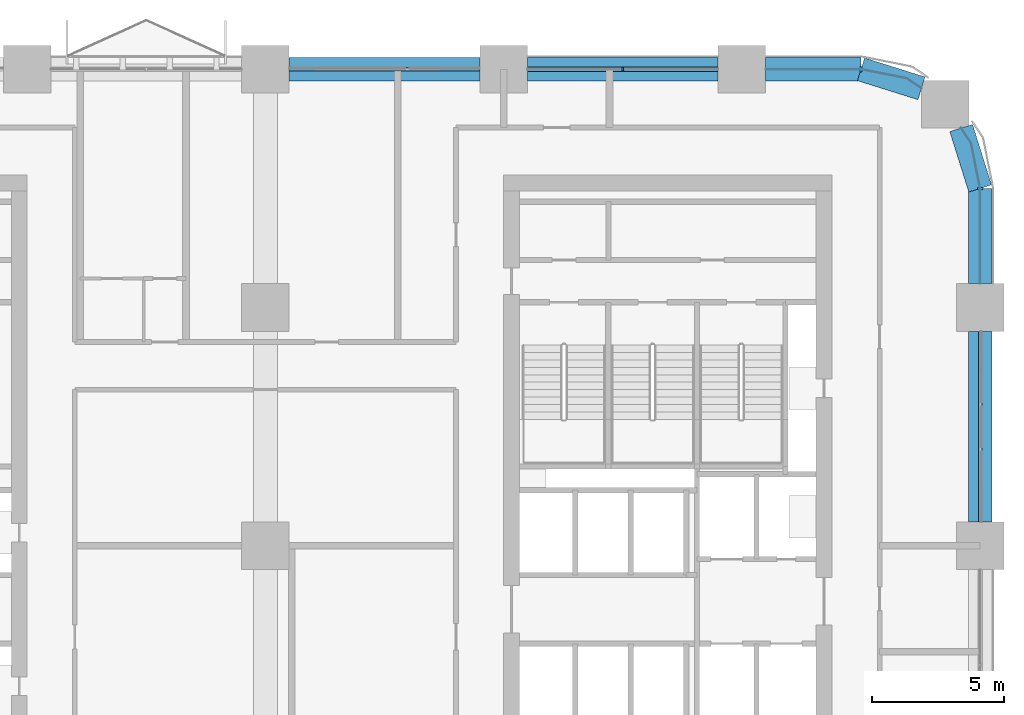
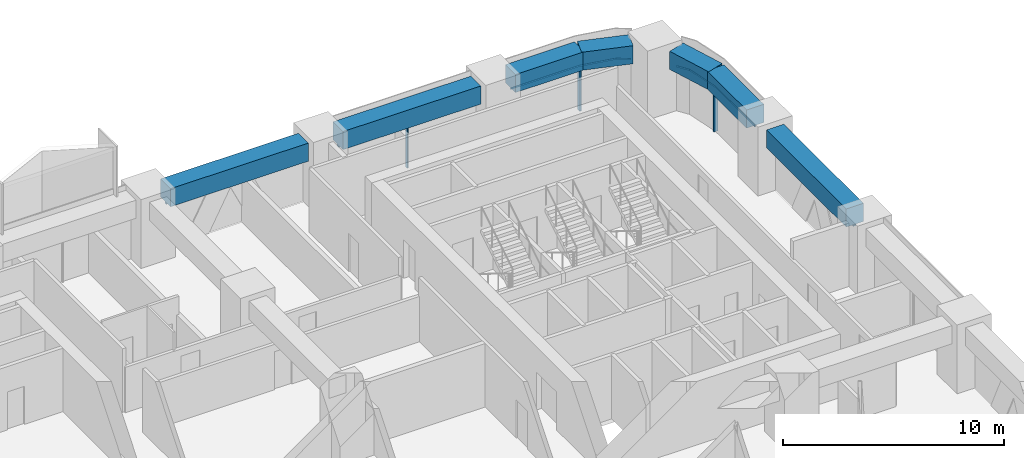
# One storey, part 9 of 23: 8 members, 7 beams, 5 elements without a shape of their own.
"""IFC4 building model written with IfcOpenShell, lengths in metres."""

from ifc_helpers import new_model, si_unit, direction, frame, origin, origin_2d, place, context, subcontext, project, spatial, polyline, rectangle, outline, extrude, material, material_profile, profile_set, type_object, element, aggregate, save


model = new_model("IFC4")

# Units and contexts
model_context = context("Model", 3, precision=1e-05, world=origin(), true_north=direction((0.0, 1.0)))
body_context = subcontext(model_context, "Body", "Model", "MODEL_VIEW")
ifc_project = project(units=[si_unit("LENGTHUNIT", "METRE"), si_unit("AREAUNIT", "SQUARE_METRE"), si_unit("VOLUMEUNIT", "CUBIC_METRE"), si_unit("PLANEANGLEUNIT", "RADIAN"), si_unit("MASSUNIT", "GRAM", prefix="KILO")], contexts=[model_context])

# Site, building, storey
site_placement = place(None, origin())
site = spatial("IfcSite", under=ifc_project, at=site_placement, CompositionType="ELEMENT")
building_placement = place(site_placement, origin())
building = spatial("IfcBuilding", under=site, at=building_placement, Name="Tessera Arch", CompositionType="ELEMENT")
storey_placement = place(building_placement, frame((0.0, 0.0, 34.800048828125)))
storey = spatial("IfcBuildingStorey", under=building, at=storey_placement, Name="L06", CompositionType="ELEMENT", Elevation=34.800048828125)

# Curtain wall, members
ifc_material_1 = material(Name="CW1 curtain wall")
curtain_wall_type_1 = type_object("IfcCurtainWallType", Name="CW1 curtain wall", PredefinedType="NOTDEFINED", material=ifc_material_1)
curtain_wall_1_placement = place(storey_placement, origin())
curtain_wall_1 = element("IfcCurtainWall", 1, at=curtain_wall_1_placement, inside=storey, type_object=curtain_wall_type_1, Name="CW1 curtain wall N54.0/1 L06", PredefinedType="NOTDEFINED")
ifc_material_2 = material(Name="Anodised aluminium pale metal", Category="aluminium")
ifc_material_profile_1 = material_profile(ifc_material_2, rectangle(XDim=0.159912109375, YDim=0.06005859375, at=origin_2d()), Name="AL 60x160")
ifc_profile_set_1 = profile_set([ifc_material_profile_1], Name="Anodised aluminium pale metal")
member_type_1 = type_object("IfcMemberType", Name="CW1 mullion", PredefinedType="MULLION", material=ifc_profile_set_1)
member_1_placement = place(storey_placement, frame((40.5, 54.0, 0.0), z_axis=(0.0, 0.0, 1.0), x_axis=(0.0, -1.0, 0.0)))
member_1 = element("IfcMember", 2, at=member_1_placement, type_object=member_type_1, Name="CW1 mullion N54.0/1 1", PredefinedType="MULLION", context=body_context, shape_type="SweptSolid", body=[
    extrude(rectangle(XDim=0.159912109375, YDim=0.06005859375, at=origin_2d()), origin(), (0.0, 0.0, 1.0), 2.39990234375),
])
ifc_material_3 = material(Name="Anodised aluminium pale metal", Category="aluminium")
ifc_material_profile_2 = material_profile(ifc_material_3, rectangle(XDim=0.159912109375, YDim=0.10009765625, at=origin_2d()), Name="AL 160x100")
ifc_profile_set_2 = profile_set([ifc_material_profile_2], Name="Anodised aluminium pale metal")
member_type_2 = type_object("IfcMemberType", Name="CW1 transom", PredefinedType="USERDEFINED", material=ifc_profile_set_2)
member_2_placement = place(storey_placement, frame((44.10009765625, 54.0, 2.449951171875), z_axis=(-1.0, 0.0, 0.0), x_axis=(0.0, -1.0, 0.0)))
member_2 = element("IfcMember", 3, at=member_2_placement, type_object=member_type_2, Name="CW1 transom N54.0/1 1.1", ObjectType="TRANSOM", PredefinedType="USERDEFINED", context=body_context, shape_type="SweptSolid", body=[
    extrude(rectangle(XDim=0.159912109375, YDim=0.10009765625, at=origin_2d()), origin(), (0.0, 0.0, 1.0), 7.2001953125),
])
aggregate(curtain_wall_1, [member_1, member_2])

# Curtain wall, member
ifc_material_4 = material(Name="CW2 curtain wall")
curtain_wall_type_2 = type_object("IfcCurtainWallType", Name="CW2 curtain wall", PredefinedType="NOTDEFINED", material=ifc_material_4)
curtain_wall_2_placement = place(storey_placement, origin())
curtain_wall_2 = element("IfcCurtainWall", 4, at=curtain_wall_2_placement, inside=storey, type_object=curtain_wall_type_2, Name="CW2 curtain wall E54.0/5 L06", PredefinedType="NOTDEFINED")
ifc_material_5 = material(Name="Anodised aluminium pale metal", Category="aluminium")
ifc_material_profile_3 = material_profile(ifc_material_5, rectangle(XDim=0.199951171875, YDim=0.080078125, at=origin_2d()), Name="AL 80x200")
ifc_profile_set_3 = profile_set([ifc_material_profile_3], Name="Anodised aluminium pale metal")
member_type_3 = type_object("IfcMemberType", Name="CW2 mullion", PredefinedType="MULLION", material=ifc_profile_set_3)
member_3_placement = place(storey_placement, frame((54.0, 49.5, 0.0), z_axis=(0.0, 0.0, 1.0), x_axis=(-1.0, 0.0, 0.0)))
member_3 = element("IfcMember", 5, at=member_3_placement, type_object=member_type_3, Name="CW2 mullion E54.0/5 1", PredefinedType="MULLION", context=body_context, shape_type="SweptSolid", body=[
    extrude(rectangle(XDim=0.199951171875, YDim=0.080078125, at=origin_2d()), origin(), (0.0, 0.0, 1.0), 2.39990234375),
])

curtain_wall_3_placement = place(storey_placement, origin())
curtain_wall_3 = element("IfcCurtainWall", 6, at=curtain_wall_3_placement, inside=storey, type_object=curtain_wall_type_2, Name="CW2 curtain wall N54.0/0 L06", PredefinedType="NOTDEFINED")
member_4_placement = place(storey_placement, frame((49.5, 54.0, 0.0), z_axis=(0.0, 0.0, 1.0), x_axis=(0.0, -1.0, 0.0)))
member_4 = element("IfcMember", 7, at=member_4_placement, type_object=member_type_3, Name="CW2 mullion N54.0/0 1", PredefinedType="MULLION", context=body_context, shape_type="SweptSolid", body=[
    extrude(rectangle(XDim=0.199951171875, YDim=0.080078125, at=origin_2d()), origin(), (0.0, 0.0, 1.0), 2.39990234375),
])

# Member
ifc_material_6 = material(Name="Anodised aluminium pale metal", Category="aluminium")
ifc_material_profile_4 = material_profile(ifc_material_6, rectangle(XDim=0.199951171875, YDim=0.10009765625, at=origin_2d()), Name="AL 200x100")
ifc_profile_set_4 = profile_set([ifc_material_profile_4], Name="Anodised aluminium pale metal")
member_type_4 = type_object("IfcMemberType", Name="CW2 transom", PredefinedType="USERDEFINED", material=ifc_profile_set_4)
member_5_placement = place(storey_placement, frame((0.0, 0.0, 2.39990234375)))
member_5 = element("IfcMember", 8, at=member_5_placement, type_object=member_type_4, Name="CW2 transom E54.0/5 1", ObjectType="TRANSOM", PredefinedType="USERDEFINED", context=body_context, shape_type="SweptSolid", body=[
    extrude(outline(polyline([(53.989990234375, 49.4990234375), (53.989990234375, 45.89990234375), (54.010009765625, 45.89990234375), (54.010009765625, 49.5009765625), (53.6669921875, 51.22607421875), (53.29150390625, 51.78759765625), (53.27490234375, 51.7763671875), (53.648193359375, 51.21826171875), (53.989990234375, 49.4990234375)])), origin(), (0.0, 0.0, 1.0), 0.10009765625),
])

aggregate(curtain_wall_2, [member_3, member_5])

member_6_placement = place(storey_placement, frame((0.0, 0.0, 2.39990234375)))
member_6 = element("IfcMember", 9, at=member_6_placement, type_object=member_type_4, Name="CW2 transom N54.0/0 1", ObjectType="TRANSOM", PredefinedType="USERDEFINED", context=body_context, shape_type="SweptSolid", body=[
    extrude(outline(polyline([(51.21826171875, 53.648193359375), (51.7763671875, 53.27490234375), (51.78759765625, 53.29150390625), (51.22607421875, 53.6669921875), (49.5009765625, 54.010009765625), (45.89990234375, 54.010009765625), (45.89990234375, 53.989990234375), (49.4990234375, 53.989990234375), (51.21826171875, 53.648193359375)])), origin(), (0.0, 0.0, 1.0), 0.10009765625),
])

aggregate(curtain_wall_3, [member_4, member_6])

# Curtain wall, member
ifc_material_7 = material(Name="CW3 curtain wall")
curtain_wall_type_3 = type_object("IfcCurtainWallType", Name="CW3 curtain wall", PredefinedType="NOTDEFINED", material=ifc_material_7)
curtain_wall_4_placement = place(storey_placement, origin())
curtain_wall_4 = element("IfcCurtainWall", 10, at=curtain_wall_4_placement, inside=storey, type_object=curtain_wall_type_3, Name="CW3 curtain wall E54.0/4 L06", PredefinedType="NOTDEFINED")
ifc_material_8 = material(Name="Anodised aluminium pale metal", Category="aluminium")
ifc_material_profile_5 = material_profile(ifc_material_8, rectangle(XDim=0.139892578125, YDim=0.10009765625, at=origin_2d()), Name="AL 140x100")
ifc_profile_set_5 = profile_set([ifc_material_profile_5], Name="Anodised aluminium pale metal")
member_type_5 = type_object("IfcMemberType", Name="CW3 transom", PredefinedType="USERDEFINED", material=ifc_profile_set_5)
member_7_placement = place(storey_placement, frame((54.0, 36.89990234375, 2.449951171875), z_axis=(0.0, 1.0, 0.0), x_axis=(-1.0, 0.0, 0.0)))
member_7 = element("IfcMember", 11, at=member_7_placement, type_object=member_type_5, Name="CW3 transom E54.0/4 1.1", ObjectType="TRANSOM", PredefinedType="USERDEFINED", context=body_context, shape_type="SweptSolid", body=[
    extrude(rectangle(XDim=0.139892578125, YDim=0.10009765625, at=origin_2d()), origin(), (0.0, 0.0, 1.0), 7.2001953125),
])
aggregate(curtain_wall_4, [member_7])

curtain_wall_5_placement = place(storey_placement, origin())
curtain_wall_5 = element("IfcCurtainWall", 12, at=curtain_wall_5_placement, inside=storey, type_object=curtain_wall_type_3, Name="CW3 curtain wall N54.0/2 L06", PredefinedType="NOTDEFINED")
member_8_placement = place(storey_placement, frame((35.10009765625, 54.0, 2.449951171875), z_axis=(-1.0, 0.0, 0.0), x_axis=(0.0, -1.0, 0.0)))
member_8 = element("IfcMember", 13, at=member_8_placement, type_object=member_type_5, Name="CW3 transom N54.0/2 1.1", ObjectType="TRANSOM", PredefinedType="USERDEFINED", context=body_context, shape_type="SweptSolid", body=[
    extrude(rectangle(XDim=0.139892578125, YDim=0.10009765625, at=origin_2d()), origin(), (0.0, 0.0, 1.0), 7.2001953125),
])
aggregate(curtain_wall_5, [member_8])

# Beams
ifc_material_9 = material(Name="Concrete C80/95", Category="concrete")
ifc_material_profile_6 = material_profile(ifc_material_9, rectangle(XDim=0.89990234375, YDim=1.0, at=origin_2d()), Name="RC spandrel beam 900 x 1000 Concrete C80/95")
ifc_profile_set_6 = profile_set([ifc_material_profile_6], Name="Concrete C80/95")
beam_type = type_object("IfcBeamType", Name="RC spandrel beam 900 x 1000 Concrete C80/95", PredefinedType="BEAM", material=ifc_profile_set_6)
beam_1_placement = place(storey_placement, frame((54.0, 36.89990234375, 3.0), z_axis=(0.0, 1.0, 0.0), x_axis=(-1.0, 0.0, 0.0)))
element("IfcBeam", 14, at=beam_1_placement, inside=storey, type_object=beam_type, Name="Spandrel beam L06 E54.0/4", PredefinedType="BEAM", context=body_context, shape_type="SweptSolid", body=[
    extrude(rectangle(XDim=0.89990234375, YDim=1.0, at=origin_2d()), origin(), (0.0, 0.0, 1.0), 7.2001953125),
])
beam_2_placement = place(storey_placement, frame((54.0, 45.89990234375, 3.0), z_axis=(0.0, 1.0, 0.0), x_axis=(-1.0, 0.0, 0.0)))
element("IfcBeam", 15, at=beam_2_placement, inside=storey, type_object=beam_type, Name="Spandrel beam L06 E54.0/5.1", PredefinedType="BEAM", context=body_context, shape_type="SweptSolid", body=[
    extrude(rectangle(XDim=0.89990234375, YDim=1.0, at=origin_2d()), origin(), (0.0, 0.0, 1.0), 3.60009765625),
])
for number, where, z_axis, x_axis, name in (
    (16, (54.0, 49.5, 3.0), (-0.299675309057, 0.954041251279, 0.0), (-0.954041251279, -0.299675309057, 0.0), "Spandrel beam L06 E54.0/5.2"),
    (17, (51.781982421875, 53.283203125, 3.0), (-0.954041251279, 0.299675309057, 0.0), (-0.299675309057, -0.954041251279, 0.0), "Spandrel beam L06 N54.0/0.1"),
):
    element("IfcBeam", number, at=place(storey_placement, frame(where, z_axis=z_axis, x_axis=x_axis)), inside=storey, type_object=beam_type, Name=name, PredefinedType="BEAM", context=body_context, shape_type="SweptSolid", body=[
        extrude(rectangle(XDim=0.89990234375, YDim=1.0, at=origin_2d()), origin(), (0.0, 0.0, 1.0), 2.391845703125),
    ])
beam_3_placement = place(storey_placement, frame((49.5, 54.0, 3.0), z_axis=(-1.0, 0.0, 0.0), x_axis=(0.0, -1.0, 0.0)))
element("IfcBeam", 18, at=beam_3_placement, inside=storey, type_object=beam_type, Name="Spandrel beam L06 N54.0/0.2", PredefinedType="BEAM", context=body_context, shape_type="SweptSolid", body=[
    extrude(rectangle(XDim=0.89990234375, YDim=1.0, at=origin_2d()), origin(), (0.0, 0.0, 1.0), 3.60009765625),
])
for number, where, z_axis, x_axis, name in (
    (19, (44.10009765625, 54.0, 3.0), (-1.0, 0.0, 0.0), (0.0, -1.0, 0.0), "Spandrel beam L06 N54.0/1"),
    (20, (35.10009765625, 54.0, 3.0), (-1.0, 0.0, 0.0), (0.0, -1.0, 0.0), "Spandrel beam L06 N54.0/2"),
):
    element("IfcBeam", number, at=place(storey_placement, frame(where, z_axis=z_axis, x_axis=x_axis)), inside=storey, type_object=beam_type, Name=name, PredefinedType="BEAM", context=body_context, shape_type="SweptSolid", body=[
        extrude(rectangle(XDim=0.89990234375, YDim=1.0, at=origin_2d()), origin(), (0.0, 0.0, 1.0), 7.2001953125),
    ])

save(model, "model.ifc")
